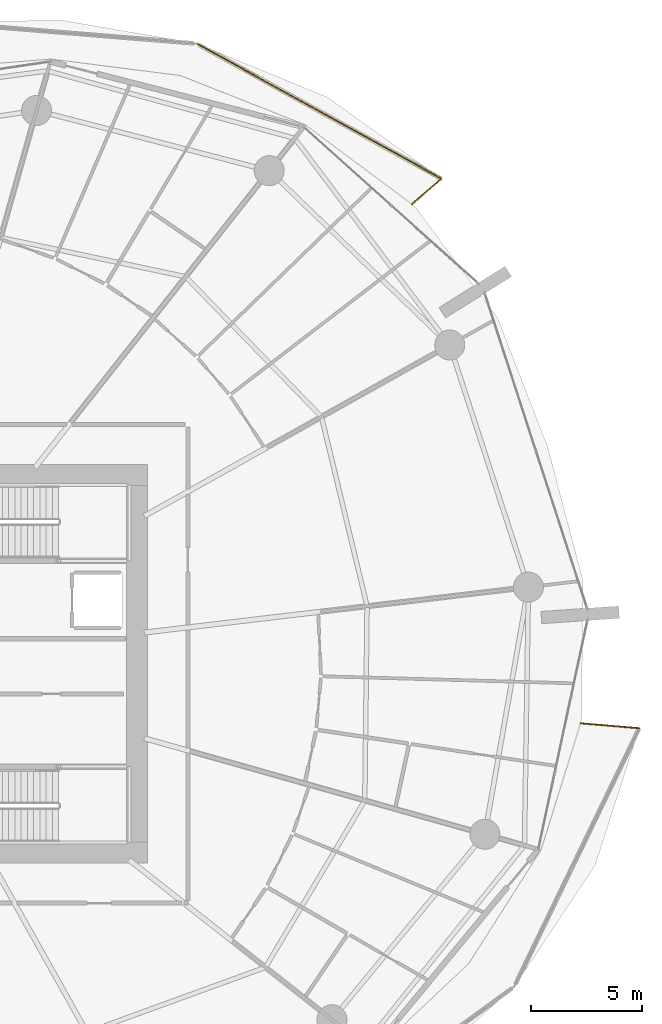
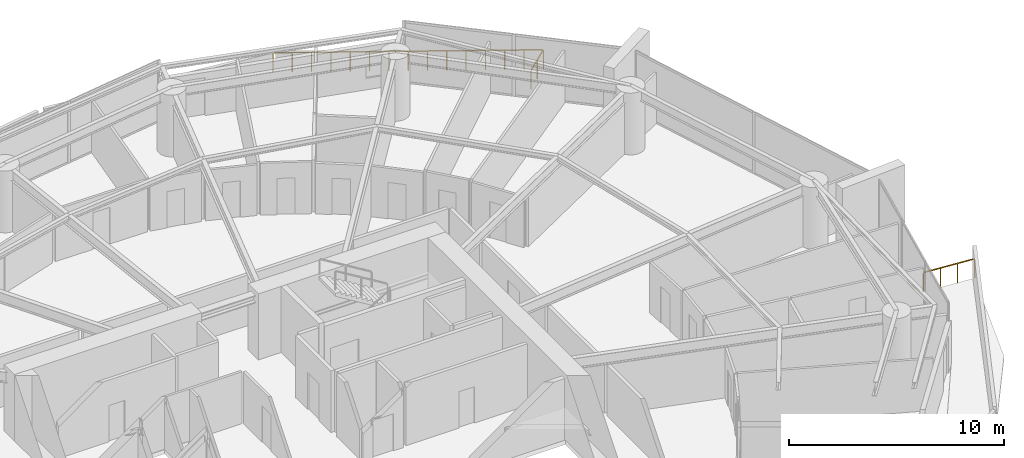
# One storey, part 30 of 30: 3 railings.
"""IFC4 building model written with IfcOpenShell, lengths in metres."""

from ifc_helpers import new_model, si_unit, direction, frame, origin, origin_2d, place, context, subcontext, project, spatial, rectangle, extrude, material, type_object, element, save


model = new_model("IFC4")

# Units and contexts
model_context = context("Model", 3, precision=1e-05, world=origin(), true_north=direction((0.0, 1.0)))
body_context = subcontext(model_context, "Body", "Model", "MODEL_VIEW")
ifc_project = project(units=[si_unit("LENGTHUNIT", "METRE"), si_unit("AREAUNIT", "SQUARE_METRE"), si_unit("VOLUMEUNIT", "CUBIC_METRE"), si_unit("PLANEANGLEUNIT", "RADIAN"), si_unit("MASSUNIT", "GRAM", prefix="KILO")], contexts=[model_context])

# Site, building, storey
site_placement = place(None, origin())
site = spatial("IfcSite", under=ifc_project, at=site_placement, CompositionType="ELEMENT")
building_placement = place(site_placement, origin())
building = spatial("IfcBuilding", under=site, at=building_placement, Name="Kazma Halo Residences", CompositionType="ELEMENT")
storey_placement = place(building_placement, frame((0.0, 0.0, 56.39990234375)))
storey = spatial("IfcBuildingStorey", under=building, at=storey_placement, Name="L13", CompositionType="ELEMENT", Elevation=56.39990234375)

# Railings
ifc_material = material(Name="Aluminium AW-6063 T6 Brushed Cap Rail", Category="aluminium")
railing_type = type_object("IfcRailingType", Name="RLG-BAL-CAP-1120", PredefinedType="BALUSTRADE", material=ifc_material)
railing_1_placement = place(storey_placement, frame((71.875732421875, 62.645263671875, 0.0)))
element("IfcRailing", 1, at=railing_1_placement, inside=storey, type_object=railing_type, Name="L13 NE wave balcony guard 1", PredefinedType="BALUSTRADE", context=body_context, shape_type="SweptSolid", body=[
    extrude(rectangle(XDim=0.050048828125, YDim=0.050048828125, at=origin_2d()), frame((0.0322265625, 0.02783203125, 1.09521484375), z_axis=(0.75645845376, 0.6540417477, 0.0), x_axis=(-0.6540417477, 0.75645845376, 0.0)), (0.0, 0.0, 1.0), 1.662353515625),
    extrude(rectangle(XDim=0.0400390625, YDim=0.0400390625, at=origin_2d()), origin(), (0.0, 0.0, 1.0), 1.05810546875),
    extrude(rectangle(XDim=0.0400390625, YDim=0.0400390625, at=origin_2d()), frame((0.660888671875, 0.5712890625, 0.0)), (0.0, 0.0, 1.0), 1.05810546875),
    extrude(rectangle(XDim=0.0400390625, YDim=0.0400390625, at=origin_2d()), frame((1.32177734375, 1.142822265625, 0.0)), (0.0, 0.0, 1.0), 1.05810546875),
])
railing_2_placement = place(storey_placement, frame((73.197509765625, 63.7880859375, 0.0)))
element("IfcRailing", 2, at=railing_2_placement, inside=storey, type_object=railing_type, Name="L13 NE wave balcony guard 2", PredefinedType="BALUSTRADE", context=body_context, shape_type="SweptSolid", body=[
    extrude(rectangle(XDim=0.050048828125, YDim=0.050048828125, at=origin_2d()), frame((-0.037353515625, 0.0205078125, 1.09521484375), z_axis=(-0.87546091384, 0.483288928425, 0.0), x_axis=(-0.483288928425, -0.87546091384, 0.0)), (0.0, 0.0, 1.0), 12.4814453125),
    extrude(rectangle(XDim=0.0400390625, YDim=0.0400390625, at=origin_2d()), origin(), (0.0, 0.0, 1.0), 1.05810546875),
    extrude(rectangle(XDim=0.0400390625, YDim=0.0400390625, at=origin_2d()), frame((-0.785888671875, 0.433837890625, 0.0)), (0.0, 0.0, 1.0), 1.05810546875),
    extrude(rectangle(XDim=0.0400390625, YDim=0.0400390625, at=origin_2d()), frame((-1.571533203125, 0.86767578125, 0.0)), (0.0, 0.0, 1.0), 1.05810546875),
    extrude(rectangle(XDim=0.0400390625, YDim=0.0400390625, at=origin_2d()), frame((-2.357421875, 1.301513671875, 0.0)), (0.0, 0.0, 1.0), 1.05810546875),
    extrude(rectangle(XDim=0.0400390625, YDim=0.0400390625, at=origin_2d()), frame((-3.143310546875, 1.735107421875, 0.0)), (0.0, 0.0, 1.0), 1.05810546875),
    extrude(rectangle(XDim=0.0400390625, YDim=0.0400390625, at=origin_2d()), frame((-3.92919921875, 2.1689453125, 0.0)), (0.0, 0.0, 1.0), 1.05810546875),
    extrude(rectangle(XDim=0.0400390625, YDim=0.0400390625, at=origin_2d()), frame((-4.71484375, 2.602783203125, 0.0)), (0.0, 0.0, 1.0), 1.05810546875),
    extrude(rectangle(XDim=0.0400390625, YDim=0.0400390625, at=origin_2d()), frame((-5.500732421875, 3.03662109375, 0.0)), (0.0, 0.0, 1.0), 1.05810546875),
    extrude(rectangle(XDim=0.0400390625, YDim=0.0400390625, at=origin_2d()), frame((-6.28662109375, 3.470458984375, 0.0)), (0.0, 0.0, 1.0), 1.05810546875),
    extrude(rectangle(XDim=0.0400390625, YDim=0.0400390625, at=origin_2d()), frame((-7.072265625, 3.904296875, 0.0)), (0.0, 0.0, 1.0), 1.05810546875),
    extrude(rectangle(XDim=0.0400390625, YDim=0.0400390625, at=origin_2d()), frame((-7.858154296875, 4.338134765625, 0.0)), (0.0, 0.0, 1.0), 1.05810546875),
    extrude(rectangle(XDim=0.0400390625, YDim=0.0400390625, at=origin_2d()), frame((-8.64404296875, 4.771728515625, 0.0)), (0.0, 0.0, 1.0), 1.05810546875),
    extrude(rectangle(XDim=0.0400390625, YDim=0.0400390625, at=origin_2d()), frame((-9.429931640625, 5.20556640625, 0.0)), (0.0, 0.0, 1.0), 1.05810546875),
    extrude(rectangle(XDim=0.0400390625, YDim=0.0400390625, at=origin_2d()), frame((-10.215576171875, 5.639404296875, 0.0)), (0.0, 0.0, 1.0), 1.05810546875),
    extrude(rectangle(XDim=0.0400390625, YDim=0.0400390625, at=origin_2d()), frame((-11.00146484375, 6.0732421875, 0.0)), (0.0, 0.0, 1.0), 1.05810546875),
])
railing_3_placement = place(storey_placement, frame((82.0830078125, 39.10791015625, 0.0)))
element("IfcRailing", 3, at=railing_3_placement, inside=storey, type_object=railing_type, Name="L13 SE wave balcony guard 4", PredefinedType="BALUSTRADE", context=body_context, shape_type="SweptSolid", body=[
    extrude(rectangle(XDim=0.050048828125, YDim=0.050048828125, at=origin_2d()), frame((-0.04248046875, 0.003662109375, 1.09521484375), z_axis=(-0.996418413409, 0.084559715106, 0.0), x_axis=(-0.084559715106, -0.996418413409, 0.0)), (0.0, 0.0, 1.0), 2.556640625),
    extrude(rectangle(XDim=0.0400390625, YDim=0.0400390625, at=origin_2d()), origin(), (0.0, 0.0, 1.0), 1.05810546875),
    extrude(rectangle(XDim=0.0400390625, YDim=0.0400390625, at=origin_2d()), frame((-0.87744140625, 0.074462890625, 0.0)), (0.0, 0.0, 1.0), 1.05810546875),
    extrude(rectangle(XDim=0.0400390625, YDim=0.0400390625, at=origin_2d()), frame((-1.7548828125, 0.14892578125, 0.0)), (0.0, 0.0, 1.0), 1.05810546875),
    extrude(rectangle(XDim=0.0400390625, YDim=0.0400390625, at=origin_2d()), frame((-2.63232421875, 0.223388671875, 0.0)), (0.0, 0.0, 1.0), 1.05810546875),
])

save(model, "model.ifc")
